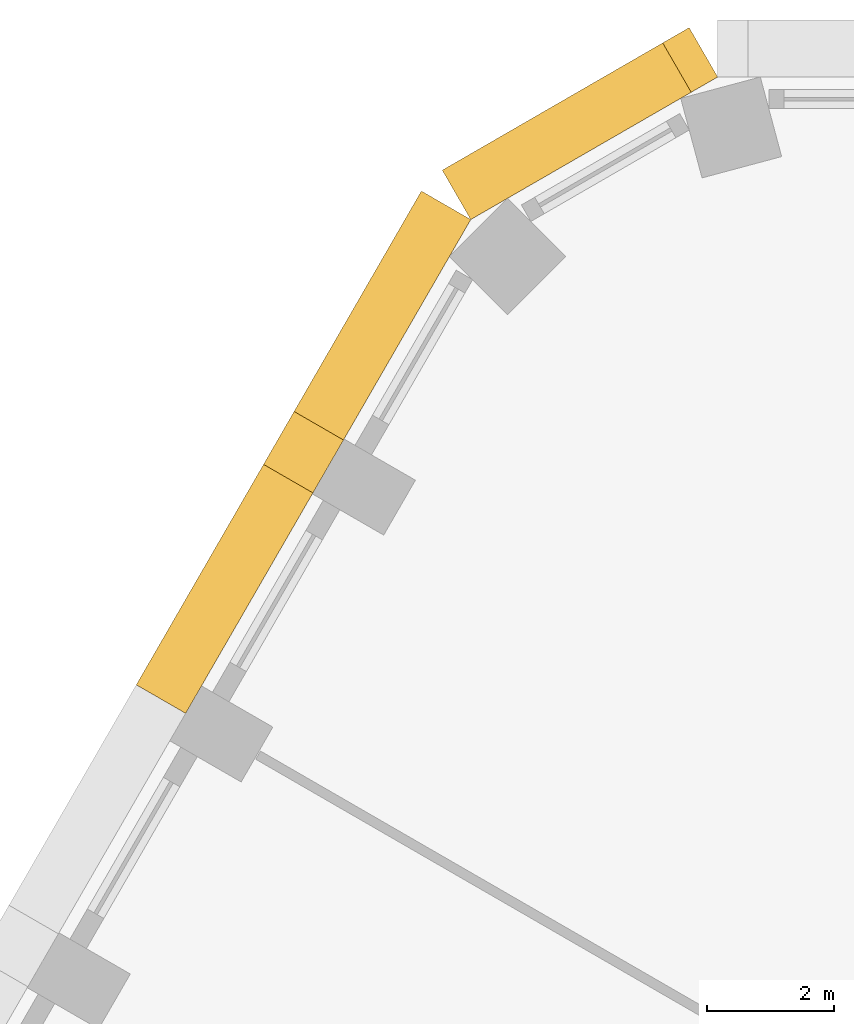
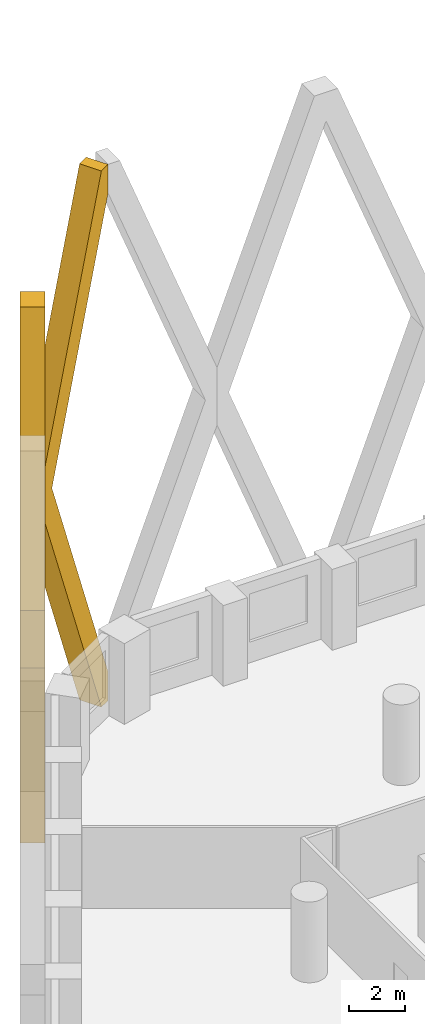
# One storey, part 16 of 18: 2 coverings.
"""IFC4 building model written with IfcOpenShell, lengths in metres."""

from ifc_helpers import new_model, si_unit, direction, frame, origin, place, context, subcontext, project, spatial, polyline, outline, extrude, material, type_object, element, save


model = new_model("IFC4")

# Units and contexts
model_context = context("Model", 3, precision=1e-05, world=origin(), true_north=direction((0.0, 1.0)))
body_context = subcontext(model_context, "Body", "Model", "MODEL_VIEW")
ifc_project = project(units=[si_unit("LENGTHUNIT", "METRE"), si_unit("AREAUNIT", "SQUARE_METRE"), si_unit("VOLUMEUNIT", "CUBIC_METRE"), si_unit("PLANEANGLEUNIT", "RADIAN"), si_unit("MASSUNIT", "GRAM", prefix="KILO")], contexts=[model_context])

# Site, building, storey
site_placement = place(None, origin())
site = spatial("IfcSite", under=ifc_project, at=site_placement, CompositionType="ELEMENT")
building_placement = place(site_placement, origin())
building = spatial("IfcBuilding", under=site, at=building_placement, Name="Dhurran Vertical Campus", CompositionType="ELEMENT")
storey_placement = place(building_placement, frame((0.0, 0.0, 104.699951171875)))
storey = spatial("IfcBuildingStorey", under=building, at=storey_placement, Name="L25", CompositionType="ELEMENT", Elevation=104.699951171875)

# Coverings
ifc_material = material(Name="Precast concrete C50/60", Category="concrete")
covering_type = type_object("IfcCoveringType", Name="Folded precast fin lattice diamond", PredefinedType="USERDEFINED", material=ifc_material)
covering_1_placement = place(storey_placement, frame((-20.25, 31.77978515625, 0.0), z_axis=(-0.50001992892, 0.866013897511, 0.0), x_axis=(-0.866013897511, -0.50001992892, 0.0)))
element("IfcCovering", 1, at=covering_1_placement, inside=storey, type_object=covering_type, Name="FN1 L25.022", ObjectType="FIN", PredefinedType="USERDEFINED", context=body_context, shape_type="SweptSolid", body=[
    extrude(outline(polyline([(4.5, 10.4462890625), (0.482177734375, 0.0), (0.0, 0.0), (0.0, 1.253662109375), (4.017822265625, 11.699951171875), (0.0, 22.146484375), (0.0, 23.39990234375), (0.482177734375, 23.39990234375), (4.5, 12.95361328125), (4.5, 10.4462890625)])), origin(), (0.0, 0.0, 1.0), 0.89990234375),
])
covering_2_placement = place(storey_placement, frame((-24.147216796875, 29.52978515625, 0.0), z_axis=(-0.866013897511, 0.50001992892, 0.0), x_axis=(-0.50001992892, -0.866013897511, 0.0)))
element("IfcCovering", 2, at=covering_2_placement, inside=storey, type_object=covering_type, Name="FN1 L25.023", ObjectType="FIN", PredefinedType="USERDEFINED", context=body_context, shape_type="SweptSolid", body=[
    extrude(outline(polyline([(9.0, 12.95361328125), (9.0, 10.4462890625), (4.982177734375, 0.0), (4.017822265625, 0.0), (0.0, 10.4462890625), (0.0, 12.95361328125), (4.017822265625, 23.39990234375), (4.982177734375, 23.39990234375), (9.0, 12.95361328125)]), holes=[polyline([(8.517822265625, 11.699951171875), (4.5, 22.146484375), (0.482177734375, 11.699951171875), (4.5, 1.253662109375), (8.517822265625, 11.699951171875)])]), origin(), (0.0, 0.0, 1.0), 0.89990234375),
])

save(model, "model.ifc")
